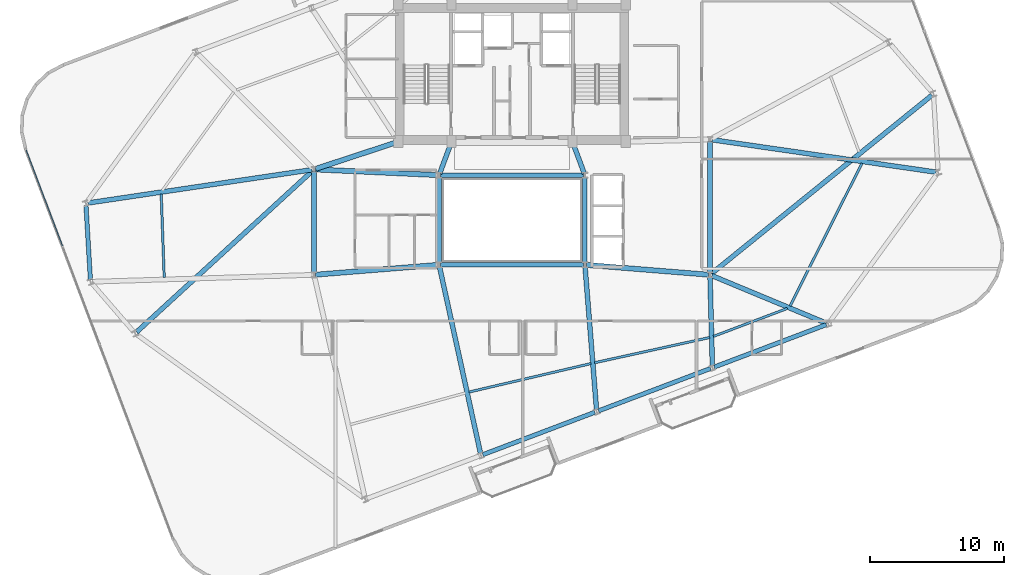
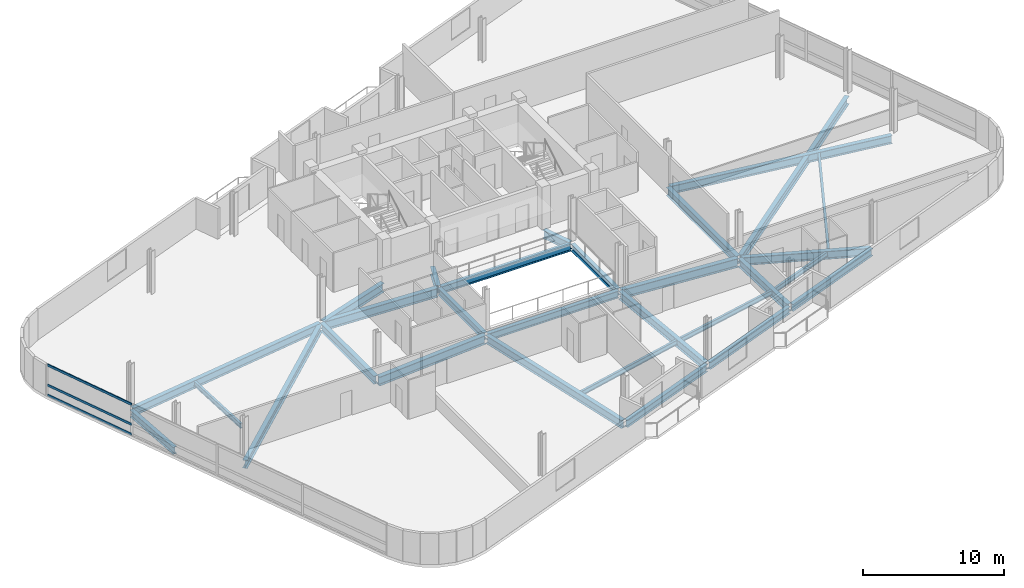
# One storey, part 7 of 19: 29 beams, 3 members, 1 element without a shape of its own.
"""IFC4 building model written with IfcOpenShell, lengths in metres."""

from ifc_helpers import new_model, si_unit, direction, frame, origin, origin_2d, place, context, subcontext, project, spatial, hollow_rectangle, i_section, extrude, material, layer, layer_set, material_profile, profile_set, type_object, element, aggregate, save


model = new_model("IFC4")

# Units and contexts
model_context = context("Model", 3, precision=1e-05, world=origin(), true_north=direction((0.0, 1.0)))
body_context = subcontext(model_context, "Body", "Model", "MODEL_VIEW")
ifc_project = project(units=[si_unit("LENGTHUNIT", "METRE"), si_unit("AREAUNIT", "SQUARE_METRE"), si_unit("VOLUMEUNIT", "CUBIC_METRE"), si_unit("PLANEANGLEUNIT", "RADIAN"), si_unit("MASSUNIT", "GRAM", prefix="KILO")], contexts=[model_context])

# Site, building, storey
site_placement = place(None, origin())
site = spatial("IfcSite", under=ifc_project, at=site_placement, CompositionType="ELEMENT")
building_placement = place(site_placement, origin())
building = spatial("IfcBuilding", under=site, at=building_placement, Name="Varnelok Gate Tower", CompositionType="ELEMENT")
storey_placement = place(building_placement, frame((0.0, 0.0, 249.699951171875)))
storey = spatial("IfcBuildingStorey", under=building, at=storey_placement, Name="L64", CompositionType="ELEMENT", Elevation=249.699951171875)

# Beams
ifc_material_1 = material(Name="Structural Steel ASTM A992 Grade 50", Category="steel")
ifc_material_profile_1 = material_profile(ifc_material_1, i_section(OverallWidth=0.180908203125, OverallDepth=0.4169921875, WebThickness=0.010986328125, FlangeThickness=0.018310546875, FilletRadius=0.013916015625, at=origin_2d()), Name="W16X57")
ifc_profile_set_1 = profile_set([ifc_material_profile_1], Name="Structural Steel ASTM A992 Grade 50")
beam_type_1 = type_object("IfcBeamType", Name="BM-JST-W16X57", PredefinedType="JOIST", material=ifc_profile_set_1)
beam_1_placement = place(storey_placement, frame((35.9833984375, 10.03662109375, -0.45849609375), z_axis=(0.973787152807, 0.227461163782, 0.0), x_axis=(-0.227461163782, 0.973787152807, 0.0)))
element("IfcBeam", 1, at=beam_1_placement, inside=storey, type_object=beam_type_1, Name="L64 Sector Floor Joist 2", PredefinedType="JOIST", context=body_context, shape_type="SweptSolid", body=[
    extrude(i_section(OverallWidth=0.180908203125, OverallDepth=0.4169921875, WebThickness=0.010986328125, FlangeThickness=0.018310546875, FilletRadius=0.013916015625, at=origin_2d()), origin(), (0.0, 0.0, 1.0), 9.365966796875),
])
beam_2_placement = place(storey_placement, frame((45.376708984375, 12.22900390625, -0.45849609375), z_axis=(0.976812641419, 0.214095921407, 0.0), x_axis=(-0.214095921407, 0.976812641419, 0.0)))
element("IfcBeam", 2, at=beam_2_placement, inside=storey, type_object=beam_type_1, Name="L64 Sector Floor Joist 3", PredefinedType="JOIST", context=body_context, shape_type="SweptSolid", body=[
    extrude(i_section(OverallWidth=0.180908203125, OverallDepth=0.4169921875, WebThickness=0.010986328125, FlangeThickness=0.018310546875, FilletRadius=0.013916015625, at=origin_2d()), origin(), (0.0, 0.0, 1.0), 8.8125),
])
beam_3_placement = place(storey_placement, frame((54.25244140625, 14.1953125, -0.45849609375), z_axis=(0.93521906908, 0.354069615795, 0.0), x_axis=(-0.354069615795, 0.93521906908, 0.0)))
element("IfcBeam", 3, at=beam_3_placement, inside=storey, type_object=beam_type_1, Name="L64 Sector Floor Joist 4", PredefinedType="JOIST", context=body_context, shape_type="SweptSolid", body=[
    extrude(i_section(OverallWidth=0.180908203125, OverallDepth=0.4169921875, WebThickness=0.010986328125, FlangeThickness=0.018310546875, FilletRadius=0.013916015625, at=origin_2d()), origin(), (0.0, 0.0, 1.0), 5.91748046875),
])
beam_4_placement = place(storey_placement, frame((59.980712890625, 16.465087890625, -0.45849609375), z_axis=(0.450200182394, 0.892927654277, 0.0), x_axis=(-0.892927654277, 0.450200182394, 0.0)))
element("IfcBeam", 4, at=beam_4_placement, inside=storey, type_object=beam_type_1, Name="L64 Sector Floor Joist 5", PredefinedType="JOIST", context=body_context, shape_type="SweptSolid", body=[
    extrude(i_section(OverallWidth=0.180908203125, OverallDepth=0.4169921875, WebThickness=0.010986328125, FlangeThickness=0.018310546875, FilletRadius=0.013916015625, at=origin_2d()), origin(), (0.0, 0.0, 1.0), 11.95751953125),
])
beam_5_placement = place(storey_placement, frame((12.97802734375, 24.8427734375, -0.45849609375), z_axis=(0.035869731281, -0.999356474126, 0.0), x_axis=(0.999356474126, 0.035869731281, 0.0)))
element("IfcBeam", 5, at=beam_5_placement, inside=storey, type_object=beam_type_1, Name="L64 Sector Floor Joist 12", PredefinedType="JOIST", context=body_context, shape_type="SweptSolid", body=[
    extrude(i_section(OverallWidth=0.180908203125, OverallDepth=0.4169921875, WebThickness=0.010986328125, FlangeThickness=0.018310546875, FilletRadius=0.013916015625, at=origin_2d()), origin(), (0.0, 0.0, 1.0), 6.2548828125),
])
ifc_material_profile_2 = material_profile(ifc_material_1, i_section(OverallWidth=0.35498046875, OverallDepth=0.696044921875, WebThickness=0.015380859375, FlangeThickness=0.02490234375, FilletRadius=0.02001953125, at=origin_2d()), Name="W27X146")
ifc_profile_set_2 = profile_set([ifc_material_profile_2], Name="Structural Steel ASTM A992 Grade 50")
beam_type_2 = type_object("IfcBeamType", Name="BM-PRI-W27X146", PredefinedType="BEAM", material=ifc_profile_set_2)
for number, where, z_axis, x_axis, name in (
    (6, (33.791748046875, 26.362548828125, -0.597900390625), (0.348719329408, 0.937227202602, 0.0), (-0.937227202602, 0.348719329408, 0.0), "L64 Core-Atrium Spine Beam 12"),
    (7, (44.608154296875, 26.362548828125, -0.597900390625), (-0.348719329408, 0.937227202602, 0.0), (-0.937227202602, -0.348719329408, 0.0), "L64 Core-Atrium Spine Beam 13"),
):
    element("IfcBeam", number, at=place(storey_placement, frame(where, z_axis=z_axis, x_axis=x_axis)), inside=storey, type_object=beam_type_2, Name=name, PredefinedType="BEAM", context=body_context, shape_type="SweptSolid", body=[
        extrude(i_section(OverallWidth=0.35498046875, OverallDepth=0.696044921875, WebThickness=0.015380859375, FlangeThickness=0.02490234375, FilletRadius=0.02001953125, at=origin_2d()), origin(), (0.0, 0.0, 1.0), 2.42724609375),
    ])
beam_6_placement = place(storey_placement, frame((24.39990234375, 18.919921875, -0.597900390625), z_axis=(0.0, 1.0, 0.0), x_axis=(-1.0, 0.0, 0.0)))
element("IfcBeam", 8, at=beam_6_placement, inside=storey, type_object=beam_type_2, Name="L64 Core-Atrium Spine Beam 16", PredefinedType="BEAM", context=body_context, shape_type="SweptSolid", body=[
    extrude(i_section(OverallWidth=0.35498046875, OverallDepth=0.696044921875, WebThickness=0.015380859375, FlangeThickness=0.02490234375, FilletRadius=0.02001953125, at=origin_2d()), origin(), (0.0, 0.0, 1.0), 7.64013671875),
])
beam_7_placement = place(storey_placement, frame((54.0, 18.919921875, -0.597900390625), z_axis=(0.0, 1.0, 0.0), x_axis=(-1.0, 0.0, 0.0)))
element("IfcBeam", 9, at=beam_7_placement, inside=storey, type_object=beam_type_2, Name="L64 Core-Atrium Spine Beam 20", PredefinedType="BEAM", context=body_context, shape_type="SweptSolid", body=[
    extrude(i_section(OverallWidth=0.35498046875, OverallDepth=0.696044921875, WebThickness=0.015380859375, FlangeThickness=0.02490234375, FilletRadius=0.02001953125, at=origin_2d()), origin(), (0.0, 0.0, 1.0), 9.880126953125),
])
beam_8_placement = place(storey_placement, frame((33.7822265625, 19.403564453125, -0.597900390625), z_axis=(0.214566745256, -0.976709328219, 0.0), x_axis=(0.976709328219, 0.214566745256, 0.0)))
element("IfcBeam", 10, at=beam_8_placement, inside=storey, type_object=beam_type_2, Name="L64 Radial Floor Girder 2", PredefinedType="BEAM", context=body_context, shape_type="SweptSolid", body=[
    extrude(i_section(OverallWidth=0.35498046875, OverallDepth=0.696044921875, WebThickness=0.015380859375, FlangeThickness=0.02490234375, FilletRadius=0.02001953125, at=origin_2d()), origin(), (0.0, 0.0, 1.0), 14.28662109375),
])
beam_9_placement = place(storey_placement, frame((44.662109375, 19.400390625, -0.597900390625), z_axis=(0.079989916961, -0.996795672736, 0.0), x_axis=(0.996795672736, 0.079989916961, 0.0)))
element("IfcBeam", 11, at=beam_9_placement, inside=storey, type_object=beam_type_2, Name="L64 Radial Floor Girder 3", PredefinedType="BEAM", context=body_context, shape_type="SweptSolid", body=[
    extrude(i_section(OverallWidth=0.35498046875, OverallDepth=0.696044921875, WebThickness=0.015380859375, FlangeThickness=0.02490234375, FilletRadius=0.02001953125, at=origin_2d()), origin(), (0.0, 0.0, 1.0), 10.70703125),
])
beam_10_placement = place(storey_placement, frame((54.00390625, 18.650146484375, -0.597900390625), z_axis=(0.026105842948, -0.999659184404, 0.0), x_axis=(0.999659184404, 0.026105842948, 0.0)))
element("IfcBeam", 12, at=beam_10_placement, inside=storey, type_object=beam_type_2, Name="L64 Radial Floor Girder 4", PredefinedType="BEAM", context=body_context, shape_type="SweptSolid", body=[
    extrude(i_section(OverallWidth=0.35498046875, OverallDepth=0.696044921875, WebThickness=0.015380859375, FlangeThickness=0.02490234375, FilletRadius=0.02001953125, at=origin_2d()), origin(), (0.0, 0.0, 1.0), 6.649169921875),
])
beam_11_placement = place(storey_placement, frame((54.138427734375, 18.742431640625, -0.597900390625), z_axis=(0.923393134815, -0.383855595995, 0.0), x_axis=(0.383855595995, 0.923393134815, 0.0)))
element("IfcBeam", 13, at=beam_11_placement, inside=storey, type_object=beam_type_2, Name="L64 Radial Floor Girder 5", PredefinedType="BEAM", context=body_context, shape_type="SweptSolid", body=[
    extrude(i_section(OverallWidth=0.35498046875, OverallDepth=0.696044921875, WebThickness=0.015380859375, FlangeThickness=0.02490234375, FilletRadius=0.02001953125, at=origin_2d()), origin(), (0.0, 0.0, 1.0), 9.264892578125),
])
beam_12_placement = place(storey_placement, frame((54.1484375, 28.8984375, -0.597900390625), z_axis=(0.989703475153, -0.143132914699, 0.0), x_axis=(0.143132914699, 0.989703475153, 0.0)))
element("IfcBeam", 14, at=beam_12_placement, inside=storey, type_object=beam_type_2, Name="L64 Radial Floor Girder 6", PredefinedType="BEAM", context=body_context, shape_type="SweptSolid", body=[
    extrude(i_section(OverallWidth=0.35498046875, OverallDepth=0.696044921875, WebThickness=0.015380859375, FlangeThickness=0.02490234375, FilletRadius=0.02001953125, at=origin_2d()), origin(), (0.0, 0.0, 1.0), 16.932373046875),
])
beam_13_placement = place(storey_placement, frame((54.11669921875, 18.894287109375, -0.597900390625), z_axis=(0.777332597566, 0.629089844745, 0.0), x_axis=(-0.629089844745, 0.777332597566, 0.0)))
element("IfcBeam", 15, at=beam_13_placement, inside=storey, type_object=beam_type_2, Name="L64 Radial Floor Girder 7", PredefinedType="BEAM", context=body_context, shape_type="SweptSolid", body=[
    extrude(i_section(OverallWidth=0.35498046875, OverallDepth=0.696044921875, WebThickness=0.015380859375, FlangeThickness=0.02490234375, FilletRadius=0.02001953125, at=origin_2d()), origin(), (0.0, 0.0, 1.0), 21.190673828125),
])
beam_14_placement = place(storey_placement, frame((24.251708984375, 26.657958984375, -0.597900390625), z_axis=(-0.989147373927, -0.146926759485, 0.0), x_axis=(0.146926759485, -0.989147373927, 0.0)))
element("IfcBeam", 16, at=beam_14_placement, inside=storey, type_object=beam_type_2, Name="L64 Radial Floor Girder 14", PredefinedType="BEAM", context=body_context, shape_type="SweptSolid", body=[
    extrude(i_section(OverallWidth=0.35498046875, OverallDepth=0.696044921875, WebThickness=0.015380859375, FlangeThickness=0.02490234375, FilletRadius=0.02001953125, at=origin_2d()), origin(), (0.0, 0.0, 1.0), 16.942138671875),
])
beam_15_placement = place(storey_placement, frame((24.289306640625, 26.57861328125, -0.597900390625), z_axis=(-0.737119491435, -0.675762425226, 0.0), x_axis=(0.675762425226, -0.737119491435, 0.0)))
element("IfcBeam", 17, at=beam_15_placement, inside=storey, type_object=beam_type_2, Name="L64 Radial Floor Girder 16", PredefinedType="BEAM", context=body_context, shape_type="SweptSolid", body=[
    extrude(i_section(OverallWidth=0.35498046875, OverallDepth=0.696044921875, WebThickness=0.015380859375, FlangeThickness=0.02490234375, FilletRadius=0.02001953125, at=origin_2d()), origin(), (0.0, 0.0, 1.0), 17.841796875),
])
ifc_material_profile_3 = material_profile(ifc_material_1, i_section(OverallWidth=0.381103515625, OverallDepth=0.77294921875, WebThickness=0.0166015625, FlangeThickness=0.027099609375, FilletRadius=0.02197265625, at=origin_2d()), Name="W30X173")
ifc_profile_set_3 = profile_set([ifc_material_profile_3], Name="Structural Steel ASTM A992 Grade 50")
beam_type_3 = type_object("IfcBeamType", Name="BM-PRI-W30X173", PredefinedType="BEAM", material=ifc_profile_set_3)
beam_16_placement = place(storey_placement, frame((24.51953125, 18.8095703125, -0.636474609375), z_axis=(0.996799206292, 0.07994587128, 0.0), x_axis=(-0.07994587128, 0.996799206292, 0.0)))
element("IfcBeam", 18, at=beam_16_placement, inside=storey, type_object=beam_type_3, Name="L64 Core-Atrium Spine Beam 14", PredefinedType="BEAM", context=body_context, shape_type="SweptSolid", body=[
    extrude(i_section(OverallWidth=0.381103515625, OverallDepth=0.77294921875, WebThickness=0.0166015625, FlangeThickness=0.027099609375, FilletRadius=0.02197265625, at=origin_2d()), origin(), (0.0, 0.0, 1.0), 9.14013671875),
])
beam_17_placement = place(storey_placement, frame((24.52001953125, 26.674560546875, -0.636474609375), z_axis=(0.99894427814, -0.045938319209, 0.0), x_axis=(0.045938319209, 0.99894427814, 0.0)))
element("IfcBeam", 19, at=beam_17_placement, inside=storey, type_object=beam_type_3, Name="L64 Core-Atrium Spine Beam 15", PredefinedType="BEAM", context=body_context, shape_type="SweptSolid", body=[
    extrude(i_section(OverallWidth=0.381103515625, OverallDepth=0.77294921875, WebThickness=0.0166015625, FlangeThickness=0.027099609375, FilletRadius=0.02197265625, at=origin_2d()), origin(), (0.0, 0.0, 1.0), 9.11962890625),
])
beam_18_placement = place(storey_placement, frame((24.513916015625, 26.717529296875, -0.636474609375), z_axis=(0.950041943788, 0.312122259768, 0.0), x_axis=(-0.312122259768, 0.950041943788, 0.0)))
element("IfcBeam", 20, at=beam_18_placement, inside=storey, type_object=beam_type_3, Name="L64 Core-Atrium Spine Beam 17", PredefinedType="BEAM", context=body_context, shape_type="SweptSolid", body=[
    extrude(i_section(OverallWidth=0.381103515625, OverallDepth=0.77294921875, WebThickness=0.0166015625, FlangeThickness=0.027099609375, FilletRadius=0.02197265625, at=origin_2d()), origin(), (0.0, 0.0, 1.0), 6.391357421875),
])
beam_19_placement = place(storey_placement, frame((44.76953125, 19.540283203125, -0.636474609375), z_axis=(0.996799206292, -0.07994587128, 0.0), x_axis=(0.07994587128, 0.996799206292, 0.0)))
element("IfcBeam", 21, at=beam_19_placement, inside=storey, type_object=beam_type_3, Name="L64 Core-Atrium Spine Beam 18", PredefinedType="BEAM", context=body_context, shape_type="SweptSolid", body=[
    extrude(i_section(OverallWidth=0.381103515625, OverallDepth=0.77294921875, WebThickness=0.0166015625, FlangeThickness=0.027099609375, FilletRadius=0.02197265625, at=origin_2d()), origin(), (0.0, 0.0, 1.0), 9.14013671875),
])
ifc_material_profile_4 = material_profile(ifc_material_1, i_section(OverallWidth=0.323974609375, OverallDepth=0.611083984375, WebThickness=0.0126953125, FlangeThickness=0.01904296875, FilletRadius=0.01806640625, at=origin_2d()), Name="W24X104")
ifc_profile_set_4 = profile_set([ifc_material_profile_4], Name="Structural Steel ASTM A992 Grade 50")
beam_type_4 = type_object("IfcBeamType", Name="BM-SPN-W24X104", PredefinedType="SPANDREL", material=ifc_profile_set_4)
for number, where, z_axis, x_axis, name in (
    (22, (33.8701171875, 19.550048828125, -0.555419921875), (1.0, 0.0, 0.0), (0.0, 1.0, 0.0), "L64 Core-Atrium Spine Beam 8"),
    (23, (33.8701171875, 26.25, -0.555419921875), (1.0, 0.0, 0.0), (0.0, 1.0, 0.0), "L64 Core-Atrium Spine Beam 9"),
):
    element("IfcBeam", number, at=place(storey_placement, frame(where, z_axis=z_axis, x_axis=x_axis)), inside=storey, type_object=beam_type_4, Name=name, PredefinedType="SPANDREL", context=body_context, shape_type="SweptSolid", body=[
        extrude(i_section(OverallWidth=0.323974609375, OverallDepth=0.611083984375, WebThickness=0.0126953125, FlangeThickness=0.01904296875, FilletRadius=0.01806640625, at=origin_2d()), origin(), (0.0, 0.0, 1.0), 10.659912109375),
    ])
for number, where, z_axis, x_axis, name in (
    (24, (33.75, 19.669921875, -0.555419921875), (0.0, 1.0, 0.0), (-1.0, 0.0, 0.0), "L64 Core-Atrium Spine Beam 10"),
    (25, (44.64990234375, 19.669921875, -0.555419921875), (0.0, 1.0, 0.0), (-1.0, 0.0, 0.0), "L64 Core-Atrium Spine Beam 11"),
):
    element("IfcBeam", number, at=place(storey_placement, frame(where, z_axis=z_axis, x_axis=x_axis)), inside=storey, type_object=beam_type_4, Name=name, PredefinedType="SPANDREL", context=body_context, shape_type="SweptSolid", body=[
        extrude(i_section(OverallWidth=0.323974609375, OverallDepth=0.611083984375, WebThickness=0.0126953125, FlangeThickness=0.01904296875, FilletRadius=0.01806640625, at=origin_2d()), origin(), (0.0, 0.0, 1.0), 6.4599609375),
    ])
beam_20_placement = place(storey_placement, frame((37.02001953125, 5.356201171875, -0.555419921875), z_axis=(0.935220356141, 0.354066216208, 0.0), x_axis=(-0.354066216208, 0.935220356141, 0.0)))
element("IfcBeam", 26, at=beam_20_placement, inside=storey, type_object=beam_type_4, Name="L64 Perimeter Spandrel Beam 2", PredefinedType="SPANDREL", context=body_context, shape_type="SweptSolid", body=[
    extrude(i_section(OverallWidth=0.323974609375, OverallDepth=0.611083984375, WebThickness=0.0126953125, FlangeThickness=0.01904296875, FilletRadius=0.01806640625, at=origin_2d()), origin(), (0.0, 0.0, 1.0), 8.9501953125),
])
for number, where, z_axis, x_axis, name in (
    (27, (45.6708984375, 8.63134765625, -0.555419921875), (0.935216936382, 0.354075248928, 0.0), (-0.354075248928, 0.935216936382, 0.0), "L64 Perimeter Spandrel Beam 3"),
    (28, (54.32177734375, 11.906494140625, -0.555419921875), (0.935225969099, 0.354051389947, 0.0), (-0.354051389947, 0.935225969099, 0.0), "L64 Perimeter Spandrel Beam 4"),
):
    element("IfcBeam", number, at=place(storey_placement, frame(where, z_axis=z_axis, x_axis=x_axis)), inside=storey, type_object=beam_type_4, Name=name, PredefinedType="SPANDREL", context=body_context, shape_type="SweptSolid", body=[
        extrude(i_section(OverallWidth=0.323974609375, OverallDepth=0.611083984375, WebThickness=0.0126953125, FlangeThickness=0.01904296875, FilletRadius=0.01806640625, at=origin_2d()), origin(), (0.0, 0.0, 1.0), 8.949951171875),
    ])
beam_21_placement = place(storey_placement, frame((7.353759765625, 23.996826171875, -0.555419921875), z_axis=(0.059497061762, -0.99822848068, 0.0), x_axis=(0.99822848068, 0.059497061762, 0.0)))
element("IfcBeam", 29, at=beam_21_placement, inside=storey, type_object=beam_type_4, Name="L64 Perimeter Spandrel Beam 14", PredefinedType="SPANDREL", context=body_context, shape_type="SweptSolid", body=[
    extrude(i_section(OverallWidth=0.323974609375, OverallDepth=0.611083984375, WebThickness=0.0126953125, FlangeThickness=0.01904296875, FilletRadius=0.01806640625, at=origin_2d()), origin(), (0.0, 0.0, 1.0), 5.576416015625),
])

# Curtain wall, members
ifc_material_2 = material(Name="Anodized Aluminum Alloy 6063-T6", Category="aluminium")
ifc_layer = layer(ifc_material_2, 0.179931640625)
ifc_layer_set = layer_set([ifc_layer], Name="Anodized Aluminum Alloy 6063-T6")
curtain_wall_type = type_object("IfcCurtainWallType", Name="CW4-RESIDENCE-VISION", PredefinedType="USERDEFINED", material=ifc_layer_set)
curtain_wall_placement = place(storey_placement, origin())
curtain_wall = element("IfcCurtainWall", 30, at=curtain_wall_placement, inside=storey, type_object=curtain_wall_type, Name="L64 West End Vision Curtain Wall", ObjectType="UNITISED CURTAIN WALL", PredefinedType="USERDEFINED")
ifc_material_profile_5 = material_profile(ifc_material_2, hollow_rectangle(XDim=0.074951171875, YDim=0.199951171875, WallThickness=0.00390625, at=origin_2d()), Name="ALU200X75X4")
ifc_profile_set_5 = profile_set([ifc_material_profile_5], Name="Anodized Aluminum Alloy 6063-T6")
member_type = type_object("IfcMemberType", Name="CW-TRAN-200", PredefinedType="USERDEFINED", material=ifc_profile_set_5)
member_1_placement = place(storey_placement, frame((5.60009765625, 20.9599609375, 0.03759765625), z_axis=(-0.354073041953, 0.935217771945, 0.0), x_axis=(-0.935217771945, -0.354073041953, 0.0)))
member_1 = element("IfcMember", 31, at=member_1_placement, type_object=member_type, Name="CW4 transom 4.1", ObjectType="TRANSOM", PredefinedType="USERDEFINED", context=body_context, shape_type="SweptSolid", body=[
    extrude(hollow_rectangle(XDim=0.074951171875, YDim=0.199951171875, WallThickness=0.00390625, at=origin_2d()), origin(), (0.0, 0.0, 1.0), 7.6875),
])
member_2_placement = place(storey_placement, frame((5.60009765625, 20.9599609375, 0.900146484375), z_axis=(-0.354073041953, 0.935217771945, 0.0), x_axis=(-0.935217771945, -0.354073041953, 0.0)))
member_2 = element("IfcMember", 32, at=member_2_placement, type_object=member_type, Name="CW4 transom 4.2", ObjectType="TRANSOM", PredefinedType="USERDEFINED", context=body_context, shape_type="SweptSolid", body=[
    extrude(hollow_rectangle(XDim=0.074951171875, YDim=0.199951171875, WallThickness=0.00390625, at=origin_2d()), origin(), (0.0, 0.0, 1.0), 7.6875),
])
member_3_placement = place(storey_placement, frame((5.60009765625, 20.9599609375, 2.62255859375), z_axis=(-0.354073041953, 0.935217771945, 0.0), x_axis=(-0.935217771945, -0.354073041953, 0.0)))
member_3 = element("IfcMember", 33, at=member_3_placement, type_object=member_type, Name="CW4 transom 4.3", ObjectType="TRANSOM", PredefinedType="USERDEFINED", context=body_context, shape_type="SweptSolid", body=[
    extrude(hollow_rectangle(XDim=0.074951171875, YDim=0.199951171875, WallThickness=0.00390625, at=origin_2d()), origin(), (0.0, 0.0, 1.0), 7.6875),
])
aggregate(curtain_wall, [member_1, member_2, member_3])

save(model, "model.ifc")
